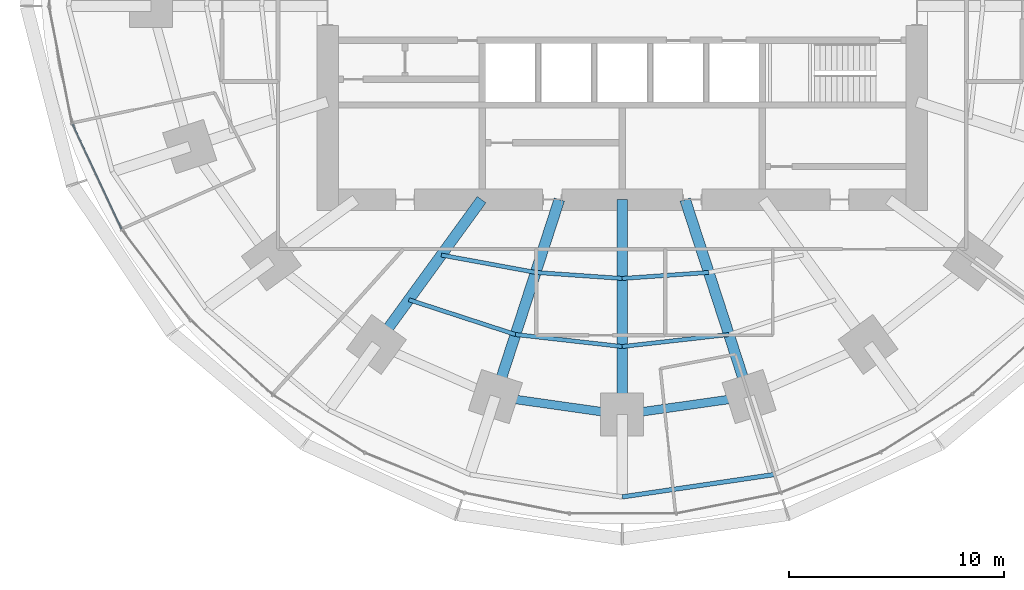
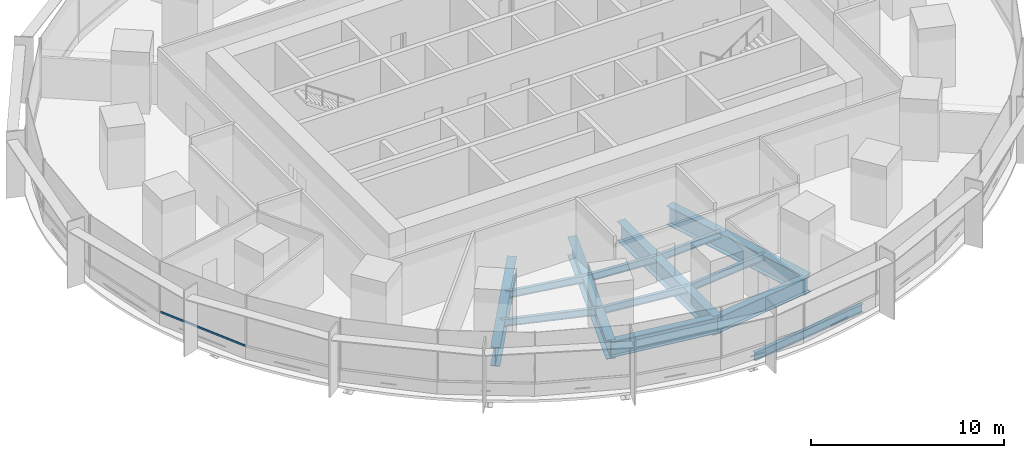
# One storey, part 3 of 15: 13 beams, 1 member, 1 element without a shape of its own.
"""IFC4 building model written with IfcOpenShell, lengths in metres."""

from ifc_helpers import new_model, si_unit, direction, frame, origin, origin_2d, place, context, subcontext, project, spatial, rectangle, i_section, extrude, material, material_profile, profile_set, type_object, element, aggregate, save


model = new_model("IFC4")

# Units and contexts
model_context = context("Model", 3, precision=1e-05, world=origin(), true_north=direction((0.0, 1.0)))
body_context = subcontext(model_context, "Body", "Model", "MODEL_VIEW")
ifc_project = project(units=[si_unit("LENGTHUNIT", "METRE"), si_unit("AREAUNIT", "SQUARE_METRE"), si_unit("VOLUMEUNIT", "CUBIC_METRE"), si_unit("PLANEANGLEUNIT", "RADIAN"), si_unit("MASSUNIT", "GRAM", prefix="KILO")], contexts=[model_context])

# Site, building, storey
site_placement = place(None, origin())
site = spatial("IfcSite", under=ifc_project, at=site_placement, CompositionType="ELEMENT")
building_placement = place(site_placement, origin())
building = spatial("IfcBuilding", under=site, at=building_placement, Name="Marramba Exchange Tower", CompositionType="ELEMENT")
storey_placement = place(building_placement, frame((0.0, 0.0, 65.800048828125)))
storey = spatial("IfcBuildingStorey", under=building, at=storey_placement, Name="L15", CompositionType="ELEMENT", Elevation=65.800048828125)

# Beams
ifc_material_1 = material(Name="Steel AS/NZS 3679.1 grade 300", Category="steel")
ifc_material_profile_1 = material_profile(ifc_material_1, i_section(OverallWidth=0.18994140625, OverallDepth=0.4541015625, WebThickness=0.008544921875, FlangeThickness=0.0126953125, FilletRadius=0.011474609375, at=origin_2d()), Name="460UB67.1")
ifc_profile_set_1 = profile_set([ifc_material_profile_1], Name="Steel AS/NZS 3679.1 grade 300")
beam_type_1 = type_object("IfcBeamType", Name="Floor joist 460UB67.1", PredefinedType="JOIST", material=ifc_profile_set_1)
beam_1_placement = place(storey_placement, frame((-8.41162109375, -11.57763671875, -0.386962890625), z_axis=(0.983455754421, -0.181148500119, 0.0), x_axis=(0.181148500119, 0.983455754421, 0.0)))
element("IfcBeam", 1, at=beam_1_placement, inside=storey, type_object=beam_type_1, Name="Joist L15 bay 14 row 1", PredefinedType="JOIST", context=body_context, shape_type="SweptSolid", body=[
    extrude(i_section(OverallWidth=0.18994140625, OverallDepth=0.4541015625, WebThickness=0.008544921875, FlangeThickness=0.0126953125, FilletRadius=0.011474609375, at=origin_2d()), origin(), (0.0, 0.0, 1.0), 4.4609375),
])
beam_2_placement = place(storey_placement, frame((-9.9208984375, -13.655029296875, -0.386962890625), z_axis=(0.950764024931, -0.309915744834, 0.0), x_axis=(0.309915744834, 0.950764024931, 0.0)))
element("IfcBeam", 2, at=beam_2_placement, inside=storey, type_object=beam_type_1, Name="Joist L15 bay 14 row 2", PredefinedType="JOIST", context=body_context, shape_type="SweptSolid", body=[
    extrude(i_section(OverallWidth=0.18994140625, OverallDepth=0.4541015625, WebThickness=0.008544921875, FlangeThickness=0.0126953125, FilletRadius=0.011474609375, at=origin_2d()), origin(), (0.0, 0.0, 1.0), 5.2158203125),
])
beam_3_placement = place(storey_placement, frame((-4.0244140625, -12.3857421875, -0.386962890625), z_axis=(0.99759625901, -0.069294328838, 0.0), x_axis=(0.069294328838, 0.99759625901, 0.0)))
element("IfcBeam", 3, at=beam_3_placement, inside=storey, type_object=beam_type_1, Name="Joist L15 bay 15 row 1", PredefinedType="JOIST", context=body_context, shape_type="SweptSolid", body=[
    extrude(i_section(OverallWidth=0.18994140625, OverallDepth=0.4541015625, WebThickness=0.008544921875, FlangeThickness=0.0126953125, FilletRadius=0.011474609375, at=origin_2d()), origin(), (0.0, 0.0, 1.0), 4.0341796875),
])
beam_4_placement = place(storey_placement, frame((-4.9619140625, -15.271484375, -0.386962890625), z_axis=(0.993712018573, -0.111966174106, 0.0), x_axis=(0.111966174106, 0.993712018573, 0.0)))
element("IfcBeam", 4, at=beam_4_placement, inside=storey, type_object=beam_type_1, Name="Joist L15 bay 15 row 2", PredefinedType="JOIST", context=body_context, shape_type="SweptSolid", body=[
    extrude(i_section(OverallWidth=0.18994140625, OverallDepth=0.4541015625, WebThickness=0.008544921875, FlangeThickness=0.0126953125, FilletRadius=0.011474609375, at=origin_2d()), origin(), (0.0, 0.0, 1.0), 4.993408203125),
])
beam_5_placement = place(storey_placement, frame((0.0, -12.665283203125, -0.386962890625), z_axis=(0.99759625901, 0.069294328838, 0.0), x_axis=(-0.069294328838, 0.99759625901, 0.0)))
element("IfcBeam", 5, at=beam_5_placement, inside=storey, type_object=beam_type_1, Name="Joist L15 bay 16 row 1", PredefinedType="JOIST", context=body_context, shape_type="SweptSolid", body=[
    extrude(i_section(OverallWidth=0.18994140625, OverallDepth=0.4541015625, WebThickness=0.008544921875, FlangeThickness=0.0126953125, FilletRadius=0.011474609375, at=origin_2d()), origin(), (0.0, 0.0, 1.0), 4.0341796875),
])
beam_6_placement = place(storey_placement, frame((0.0, -15.83056640625, -0.386962890625), z_axis=(0.993712018573, 0.111966174106, 0.0), x_axis=(-0.111966174106, 0.993712018573, 0.0)))
element("IfcBeam", 6, at=beam_6_placement, inside=storey, type_object=beam_type_1, Name="Joist L15 bay 16 row 2", PredefinedType="JOIST", context=body_context, shape_type="SweptSolid", body=[
    extrude(i_section(OverallWidth=0.18994140625, OverallDepth=0.4541015625, WebThickness=0.008544921875, FlangeThickness=0.0126953125, FilletRadius=0.011474609375, at=origin_2d()), origin(), (0.0, 0.0, 1.0), 4.993408203125),
])
ifc_material_2 = material(Name="Steel AS/NZS 3679.2 grade 300", Category="steel")
ifc_material_profile_2 = material_profile(ifc_material_2, i_section(OverallWidth=0.5, OverallDepth=1.199951171875, WebThickness=0.01611328125, FlangeThickness=0.0400390625, at=origin_2d()), Name="1200WB455")
ifc_profile_set_2 = profile_set([ifc_material_profile_2], Name="Steel AS/NZS 3679.2 grade 300")
beam_type_2 = type_object("IfcBeamType", Name="Radial girder 1200WB455", PredefinedType="BEAM", material=ifc_profile_set_2)
beam_7_placement = place(storey_placement, frame((-6.538818359375, -9.0, -0.760009765625), z_axis=(-0.587787877172, -0.809015087282, 0.0), x_axis=(0.809015087282, -0.587787877172, 0.0)))
element("IfcBeam", 7, at=beam_7_placement, inside=storey, type_object=beam_type_2, Name="Radial girder L15 TC14", PredefinedType="BEAM", context=body_context, shape_type="SweptSolid", body=[
    extrude(i_section(OverallWidth=0.5, OverallDepth=1.199951171875, WebThickness=0.01611328125, FlangeThickness=0.0400390625, at=origin_2d()), origin(), (0.0, 0.0, 1.0), 8.322021484375),
])
beam_8_placement = place(storey_placement, frame((-2.92431640625, -9.0, -0.760009765625), z_axis=(-0.309022428985, -0.951054750466, 0.0), x_axis=(0.951054750466, -0.309022428985, 0.0)))
element("IfcBeam", 8, at=beam_8_placement, inside=storey, type_object=beam_type_2, Name="Radial girder L15 TC15", PredefinedType="BEAM", context=body_context, shape_type="SweptSolid", body=[
    extrude(i_section(OverallWidth=0.5, OverallDepth=1.199951171875, WebThickness=0.01611328125, FlangeThickness=0.0400390625, at=origin_2d()), origin(), (0.0, 0.0, 1.0), 9.628173828125),
])
beam_9_placement = place(storey_placement, frame((0.0, -9.0, -0.760009765625), z_axis=(0.0, -1.0, 0.0), x_axis=(1.0, 0.0, 0.0)))
element("IfcBeam", 9, at=beam_9_placement, inside=storey, type_object=beam_type_2, Name="Radial girder L15 TC16", PredefinedType="BEAM", context=body_context, shape_type="SweptSolid", body=[
    extrude(i_section(OverallWidth=0.5, OverallDepth=1.199951171875, WebThickness=0.01611328125, FlangeThickness=0.0400390625, at=origin_2d()), origin(), (0.0, 0.0, 1.0), 9.99609375),
])
beam_10_placement = place(storey_placement, frame((2.92431640625, -9.0, -0.760009765625), z_axis=(0.309022428985, -0.951054750466, 0.0), x_axis=(0.951054750466, 0.309022428985, 0.0)))
element("IfcBeam", 10, at=beam_10_placement, inside=storey, type_object=beam_type_2, Name="Radial girder L15 TC17", PredefinedType="BEAM", context=body_context, shape_type="SweptSolid", body=[
    extrude(i_section(OverallWidth=0.5, OverallDepth=1.199951171875, WebThickness=0.01611328125, FlangeThickness=0.0400390625, at=origin_2d()), origin(), (0.0, 0.0, 1.0), 9.628173828125),
])
ifc_material_profile_3 = material_profile(ifc_material_2, i_section(OverallWidth=0.39990234375, OverallDepth=1.0, WebThickness=0.01611328125, FlangeThickness=0.031982421875, at=origin_2d()), Name="1000WB322")
ifc_profile_set_3 = profile_set([ifc_material_profile_3], Name="Steel AS/NZS 3679.2 grade 300")
beam_type_3 = type_object("IfcBeamType", Name="Ring beam 1000WB322", PredefinedType="SPANDREL", material=ifc_profile_set_3)
for number, where, z_axis, x_axis, name in (
    (11, (-5.899658203125, -18.156982421875, -0.66015625), (0.990036163016, -0.140813337152, 0.0), (0.140813337152, 0.990036163016, 0.0), "Ring beam L15 TC15-TC16"),
    (12, (0.0, -18.99609375, -0.66015625), (0.990036163016, 0.140813337152, 0.0), (-0.140813337152, 0.990036163016, 0.0), "Ring beam L15 TC16-TC17"),
):
    element("IfcBeam", number, at=place(storey_placement, frame(where, z_axis=z_axis, x_axis=x_axis)), inside=storey, type_object=beam_type_3, Name=name, PredefinedType="SPANDREL", context=body_context, shape_type="SweptSolid", body=[
        extrude(i_section(OverallWidth=0.39990234375, OverallDepth=1.0, WebThickness=0.01611328125, FlangeThickness=0.031982421875, at=origin_2d()), origin(), (0.0, 0.0, 1.0), 5.958984375),
    ])
ifc_material_profile_4 = material_profile(ifc_material_1, i_section(OverallWidth=0.208984375, OverallDepth=0.528076171875, WebThickness=0.009521484375, FlangeThickness=0.01318359375, FilletRadius=0.013916015625, at=origin_2d()), Name="530UB82.0")
ifc_profile_set_4 = profile_set([ifc_material_profile_4], Name="Steel AS/NZS 3679.1 grade 300")
beam_type_4 = type_object("IfcBeamType", Name="Slab edge beam 530UB82.0", PredefinedType="SPANDREL", material=ifc_profile_set_4)
beam_11_placement = place(storey_placement, frame((0.0, -22.822021484375, -0.424072265625), z_axis=(0.989338462178, 0.145634498848, 0.0), x_axis=(-0.145634498848, 0.989338462178, 0.0)))
element("IfcBeam", 13, at=beam_11_placement, inside=storey, type_object=beam_type_4, Name="Slab edge beam L15 TC16-TC17", PredefinedType="SPANDREL", context=body_context, shape_type="SweptSolid", body=[
    extrude(i_section(OverallWidth=0.208984375, OverallDepth=0.528076171875, WebThickness=0.009521484375, FlangeThickness=0.01318359375, FilletRadius=0.013916015625, at=origin_2d()), origin(), (0.0, 0.0, 1.0), 7.153076171875),
])

# Curtain wall, member
ifc_material_3 = material(Name="Aluminium framing, bronze anodised", Category="aluminium")
curtain_wall_type = type_object("IfcCurtainWallType", Name="Trading floor ribbon curtain wall", PredefinedType="USERDEFINED", material=ifc_material_3)
curtain_wall_placement = place(storey_placement, origin())
curtain_wall = element("IfcCurtainWall", 14, at=curtain_wall_placement, inside=storey, type_object=curtain_wall_type, Name="Curtain wall CW3 L15 F16-F20", ObjectType="RIBBON CURTAIN WALL", PredefinedType="USERDEFINED")
ifc_material_4 = material(Name="Aluminium transom, bronze anodised", Category="aluminium")
ifc_material_profile_5 = material_profile(ifc_material_4, rectangle(XDim=0.06005859375, YDim=0.1201171875, at=origin_2d()), Name="CW3 transom 60x120")
ifc_profile_set_5 = profile_set([ifc_material_profile_5], Name="Aluminium transom, bronze anodised")
member_type = type_object("IfcMemberType", Name="Trading floor ribbon curtain wall transom", PredefinedType="USERDEFINED", material=ifc_profile_set_5)
member_placement = place(storey_placement, frame((-25.559326171875, -5.492431640625, 0.829833984375), z_axis=(0.423494101671, -0.905898860718, 0.0), x_axis=(0.905898860718, 0.423494101671, 0.0)))
member = element("IfcMember", 15, at=member_placement, type_object=member_type, Name="CW3 sill transom", ObjectType="TRANSOM", PredefinedType="USERDEFINED", context=body_context, shape_type="SweptSolid", body=[
    extrude(rectangle(XDim=0.06005859375, YDim=0.1201171875, at=origin_2d()), origin(), (0.0, 0.0, 1.0), 5.379150390625),
])
aggregate(curtain_wall, [member])

save(model, "model.ifc")
